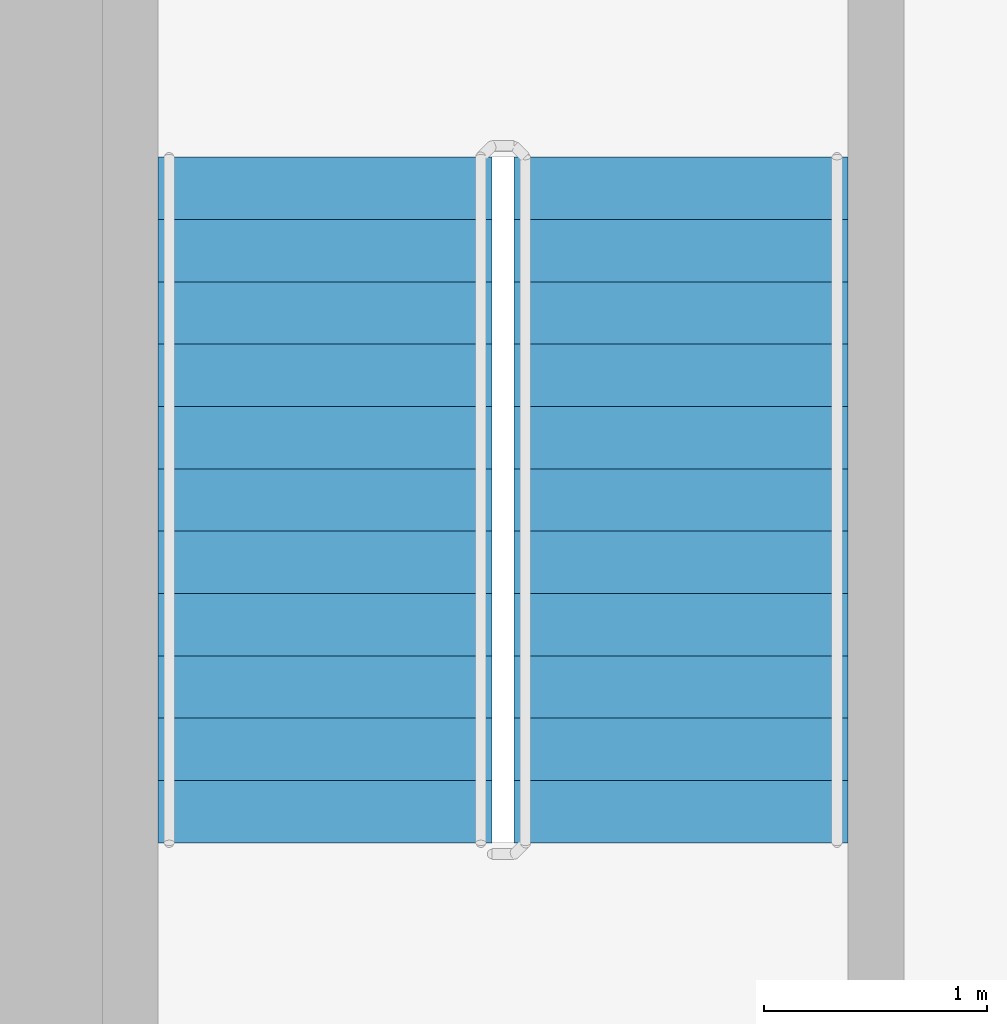
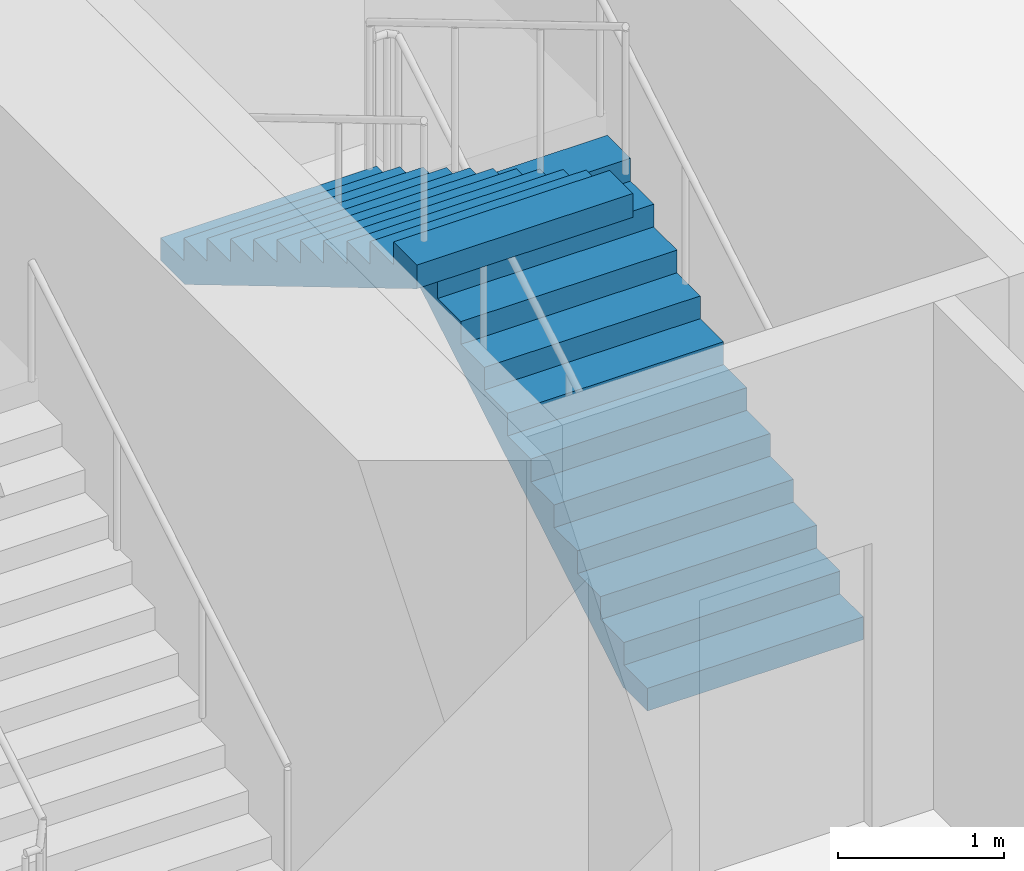
# One storey, part 18 of 26: 2 stair flights, 1 element without a shape of its own.
"""IFC4 building model written with IfcOpenShell, lengths in metres."""

from ifc_helpers import new_model, si_unit, direction, frame, origin, place, context, subcontext, project, spatial, triangles, source, transform, mapped, material, type_object, element, aggregate, save


model = new_model("IFC4")

# Units and contexts
model_context = context("Model", 3, precision=1e-05, world=origin(), true_north=direction((0.0, 1.0)))
body_context = subcontext(model_context, "Body", "Model", "MODEL_VIEW")
ifc_project = project(units=[si_unit("LENGTHUNIT", "METRE"), si_unit("AREAUNIT", "SQUARE_METRE"), si_unit("VOLUMEUNIT", "CUBIC_METRE"), si_unit("PLANEANGLEUNIT", "RADIAN"), si_unit("MASSUNIT", "GRAM", prefix="KILO")], contexts=[model_context])

# Site, building, storey
site_placement = place(None, origin())
site = spatial("IfcSite", under=ifc_project, at=site_placement, CompositionType="ELEMENT")
building_placement = place(site_placement, origin())
building = spatial("IfcBuilding", under=site, at=building_placement, Name="Kilnfold Tower and Market Hall", CompositionType="ELEMENT")
storey_placement = place(building_placement, frame((0.0, 0.0, 31.0)))
storey = spatial("IfcBuildingStorey", under=building, at=storey_placement, Name="L06", CompositionType="ELEMENT", Elevation=31.0)

# Stair, stair flights
ifc_material_1 = material(Name="Concrete C40/50", Category="concrete")
stair_type = type_object("IfcStairType", Name="CORE STAIR 1500", PredefinedType="HALF_TURN_STAIR", material=ifc_material_1)
stair_placement = place(storey_placement, origin())
stair = element("IfcStair", 1, at=stair_placement, inside=storey, type_object=stair_type, Name="L06 ST5", PredefinedType="HALF_TURN_STAIR")
ifc_material_2 = material(Name="Concrete C40/50", Category="concrete")
stair_flight_type = type_object("IfcStairFlightType", Name="CORE STAIR FLIGHT 1500", PredefinedType="STRAIGHT", material=ifc_material_2)
shared_shape = source(origin(), body_context, "Body", "Tessellation", [
    triangles([(0.0, 0.75, 0.0), (0.0, 0.65625, 0.0), (0.0, 0.5625, 0.0), (0.0, 0.46875, 0.0), (0.0, 0.375, 0.0), (0.0, 0.28125, 0.0), (0.0, 0.1875, 0.0), (0.0, 0.09375, 0.0), (0.0, 0.0, 0.0), (0.0, -0.09375, 0.0), (0.0, -0.1875, 0.0), (0.0, -0.28125, 0.0), (0.0, -0.375, 0.0), (0.0, -0.46875, 0.0), (0.0, -0.5625, 0.0), (0.0, -0.65625, 0.0), (0.0, -0.75, 0.0), (0.0, 0.75, 0.166748046875), (0.0, 0.65625, 0.166748046875), (0.0, 0.5625, 0.166748046875), (0.0, 0.46875, 0.166748046875), (0.0, 0.375, 0.166748046875), (0.0, 0.28125, 0.166748046875), (0.0, 0.1875, 0.166748046875), (0.0, 0.09375, 0.166748046875), (0.0, 0.0, 0.166748046875), (0.0, -0.09375, 0.166748046875), (0.0, -0.1875, 0.166748046875), (0.0, -0.28125, 0.166748046875), (0.0, -0.375, 0.166748046875), (0.0, -0.46875, 0.166748046875), (0.0, -0.5625, 0.166748046875), (0.0, -0.65625, 0.166748046875), (0.0, -0.75, 0.166748046875), (0.280029296875, 0.75, 0.166748046875), (0.280029296875, 0.65625, 0.166748046875), (0.280029296875, 0.5625, 0.166748046875), (0.280029296875, 0.46875, 0.166748046875), (0.280029296875, 0.375, 0.166748046875), (0.280029296875, 0.28125, 0.166748046875), (0.280029296875, 0.1875, 0.166748046875), (0.280029296875, 0.09375, 0.166748046875), (0.280029296875, 0.0, 0.166748046875), (0.280029296875, -0.09375, 0.166748046875), (0.280029296875, -0.1875, 0.166748046875), (0.280029296875, -0.28125, 0.166748046875), (0.280029296875, -0.375, 0.166748046875), (0.280029296875, -0.46875, 0.166748046875), (0.280029296875, -0.5625, 0.166748046875), (0.280029296875, -0.65625, 0.166748046875), (0.280029296875, -0.75, 0.166748046875), (0.280029296875, 0.75, 0.333251953125), (0.280029296875, 0.65625, 0.333251953125), (0.280029296875, 0.5625, 0.333251953125), (0.280029296875, 0.46875, 0.333251953125), (0.280029296875, 0.375, 0.333251953125), (0.280029296875, 0.28125, 0.333251953125), (0.280029296875, 0.1875, 0.333251953125), (0.280029296875, 0.09375, 0.333251953125), (0.280029296875, 0.0, 0.333251953125), (0.280029296875, -0.09375, 0.333251953125), (0.280029296875, -0.1875, 0.333251953125), (0.280029296875, -0.28125, 0.333251953125), (0.280029296875, -0.375, 0.333251953125), (0.280029296875, -0.46875, 0.333251953125), (0.280029296875, -0.5625, 0.333251953125), (0.280029296875, -0.65625, 0.333251953125), (0.280029296875, -0.75, 0.333251953125), (0.56005859375, 0.75, 0.333251953125), (0.56005859375, 0.65625, 0.333251953125), (0.56005859375, 0.5625, 0.333251953125), (0.56005859375, 0.46875, 0.333251953125), (0.56005859375, 0.375, 0.333251953125), (0.56005859375, 0.28125, 0.333251953125), (0.56005859375, 0.1875, 0.333251953125), (0.56005859375, 0.09375, 0.333251953125), (0.56005859375, 0.0, 0.333251953125), (0.56005859375, -0.09375, 0.333251953125), (0.56005859375, -0.1875, 0.333251953125), (0.56005859375, -0.28125, 0.333251953125), (0.56005859375, -0.375, 0.333251953125), (0.56005859375, -0.46875, 0.333251953125), (0.56005859375, -0.5625, 0.333251953125), (0.56005859375, -0.65625, 0.333251953125), (0.56005859375, -0.75, 0.333251953125), (0.56005859375, 0.75, 0.5), (0.56005859375, 0.65625, 0.5), (0.56005859375, 0.5625, 0.5), (0.56005859375, 0.46875, 0.5), (0.56005859375, 0.375, 0.5), (0.56005859375, 0.28125, 0.5), (0.56005859375, 0.1875, 0.5), (0.56005859375, 0.09375, 0.5), (0.56005859375, 0.0, 0.5), (0.56005859375, -0.09375, 0.5), (0.56005859375, -0.1875, 0.5), (0.56005859375, -0.28125, 0.5), (0.56005859375, -0.375, 0.5), (0.56005859375, -0.46875, 0.5), (0.56005859375, -0.5625, 0.5), (0.56005859375, -0.65625, 0.5), (0.56005859375, -0.75, 0.5), (0.840087890625, 0.75, 0.5), (0.840087890625, 0.65625, 0.5), (0.840087890625, 0.5625, 0.5), (0.840087890625, 0.46875, 0.5), (0.840087890625, 0.375, 0.5), (0.840087890625, 0.28125, 0.5), (0.840087890625, 0.1875, 0.5), (0.840087890625, 0.09375, 0.5), (0.840087890625, 0.0, 0.5), (0.840087890625, -0.09375, 0.5), (0.840087890625, -0.1875, 0.5), (0.840087890625, -0.28125, 0.5), (0.840087890625, -0.375, 0.5), (0.840087890625, -0.46875, 0.5), (0.840087890625, -0.5625, 0.5), (0.840087890625, -0.65625, 0.5), (0.840087890625, -0.75, 0.5), (0.840087890625, 0.75, 0.666748046875), (0.840087890625, 0.65625, 0.666748046875), (0.840087890625, 0.5625, 0.666748046875), (0.840087890625, 0.46875, 0.666748046875), (0.840087890625, 0.375, 0.666748046875), (0.840087890625, 0.28125, 0.666748046875), (0.840087890625, 0.1875, 0.666748046875), (0.840087890625, 0.09375, 0.666748046875), (0.840087890625, 0.0, 0.666748046875), (0.840087890625, -0.09375, 0.666748046875), (0.840087890625, -0.1875, 0.666748046875), (0.840087890625, -0.28125, 0.666748046875), (0.840087890625, -0.375, 0.666748046875), (0.840087890625, -0.46875, 0.666748046875), (0.840087890625, -0.5625, 0.666748046875), (0.840087890625, -0.65625, 0.666748046875), (0.840087890625, -0.75, 0.666748046875), (1.1201171875, 0.75, 0.666748046875), (1.1201171875, 0.65625, 0.666748046875), (1.1201171875, 0.5625, 0.666748046875), (1.1201171875, 0.46875, 0.666748046875), (1.1201171875, 0.375, 0.666748046875), (1.1201171875, 0.28125, 0.666748046875), (1.1201171875, 0.1875, 0.666748046875), (1.1201171875, 0.09375, 0.666748046875), (1.1201171875, 0.0, 0.666748046875), (1.1201171875, -0.09375, 0.666748046875), (1.1201171875, -0.1875, 0.666748046875), (1.1201171875, -0.28125, 0.666748046875), (1.1201171875, -0.375, 0.666748046875), (1.1201171875, -0.46875, 0.666748046875), (1.1201171875, -0.5625, 0.666748046875), (1.1201171875, -0.65625, 0.666748046875), (1.1201171875, -0.75, 0.666748046875), (1.1201171875, 0.75, 0.833251953125), (1.1201171875, 0.65625, 0.833251953125), (1.1201171875, 0.5625, 0.833251953125), (1.1201171875, 0.46875, 0.833251953125), (1.1201171875, 0.375, 0.833251953125), (1.1201171875, 0.28125, 0.833251953125), (1.1201171875, 0.1875, 0.833251953125), (1.1201171875, 0.09375, 0.833251953125), (1.1201171875, 0.0, 0.833251953125), (1.1201171875, -0.09375, 0.833251953125), (1.1201171875, -0.1875, 0.833251953125), (1.1201171875, -0.28125, 0.833251953125), (1.1201171875, -0.375, 0.833251953125), (1.1201171875, -0.46875, 0.833251953125), (1.1201171875, -0.5625, 0.833251953125), (1.1201171875, -0.65625, 0.833251953125), (1.1201171875, -0.75, 0.833251953125), (1.39990234375, 0.75, 0.833251953125), (1.39990234375, 0.65625, 0.833251953125), (1.39990234375, 0.5625, 0.833251953125), (1.39990234375, 0.46875, 0.833251953125), (1.39990234375, 0.375, 0.833251953125), (1.39990234375, 0.28125, 0.833251953125), (1.39990234375, 0.1875, 0.833251953125), (1.39990234375, 0.09375, 0.833251953125), (1.39990234375, 0.0, 0.833251953125), (1.39990234375, -0.09375, 0.833251953125), (1.39990234375, -0.1875, 0.833251953125), (1.39990234375, -0.28125, 0.833251953125), (1.39990234375, -0.375, 0.833251953125), (1.39990234375, -0.46875, 0.833251953125), (1.39990234375, -0.5625, 0.833251953125), (1.39990234375, -0.65625, 0.833251953125), (1.39990234375, -0.75, 0.833251953125), (1.39990234375, 0.75, 1.0), (1.39990234375, 0.65625, 1.0), (1.39990234375, 0.5625, 1.0), (1.39990234375, 0.46875, 1.0), (1.39990234375, 0.375, 1.0), (1.39990234375, 0.28125, 1.0), (1.39990234375, 0.1875, 1.0), (1.39990234375, 0.09375, 1.0), (1.39990234375, 0.0, 1.0), (1.39990234375, -0.09375, 1.0), (1.39990234375, -0.1875, 1.0), (1.39990234375, -0.28125, 1.0), (1.39990234375, -0.375, 1.0), (1.39990234375, -0.46875, 1.0), (1.39990234375, -0.5625, 1.0), (1.39990234375, -0.65625, 1.0), (1.39990234375, -0.75, 1.0), (1.679931640625, 0.75, 1.0), (1.679931640625, 0.65625, 1.0), (1.679931640625, 0.5625, 1.0), (1.679931640625, 0.46875, 1.0), (1.679931640625, 0.375, 1.0), (1.679931640625, 0.28125, 1.0), (1.679931640625, 0.1875, 1.0), (1.679931640625, 0.09375, 1.0), (1.679931640625, 0.0, 1.0), (1.679931640625, -0.09375, 1.0), (1.679931640625, -0.1875, 1.0), (1.679931640625, -0.28125, 1.0), (1.679931640625, -0.375, 1.0), (1.679931640625, -0.46875, 1.0), (1.679931640625, -0.5625, 1.0), (1.679931640625, -0.65625, 1.0), (1.679931640625, -0.75, 1.0), (1.679931640625, 0.75, 1.166748046875), (1.679931640625, 0.65625, 1.166748046875), (1.679931640625, 0.5625, 1.166748046875), (1.679931640625, 0.46875, 1.166748046875), (1.679931640625, 0.375, 1.166748046875), (1.679931640625, 0.28125, 1.166748046875), (1.679931640625, 0.1875, 1.166748046875), (1.679931640625, 0.09375, 1.166748046875), (1.679931640625, 0.0, 1.166748046875), (1.679931640625, -0.09375, 1.166748046875), (1.679931640625, -0.1875, 1.166748046875), (1.679931640625, -0.28125, 1.166748046875), (1.679931640625, -0.375, 1.166748046875), (1.679931640625, -0.46875, 1.166748046875), (1.679931640625, -0.5625, 1.166748046875), (1.679931640625, -0.65625, 1.166748046875), (1.679931640625, -0.75, 1.166748046875), (1.9599609375, 0.75, 1.166748046875), (1.9599609375, 0.65625, 1.166748046875), (1.9599609375, 0.5625, 1.166748046875), (1.9599609375, 0.46875, 1.166748046875), (1.9599609375, 0.375, 1.166748046875), (1.9599609375, 0.28125, 1.166748046875), (1.9599609375, 0.1875, 1.166748046875), (1.9599609375, 0.09375, 1.166748046875), (1.9599609375, 0.0, 1.166748046875), (1.9599609375, -0.09375, 1.166748046875), (1.9599609375, -0.1875, 1.166748046875), (1.9599609375, -0.28125, 1.166748046875), (1.9599609375, -0.375, 1.166748046875), (1.9599609375, -0.46875, 1.166748046875), (1.9599609375, -0.5625, 1.166748046875), (1.9599609375, -0.65625, 1.166748046875), (1.9599609375, -0.75, 1.166748046875), (1.9599609375, 0.75, 1.333251953125), (1.9599609375, 0.65625, 1.333251953125), (1.9599609375, 0.5625, 1.333251953125), (1.9599609375, 0.46875, 1.333251953125), (1.9599609375, 0.375, 1.333251953125), (1.9599609375, 0.28125, 1.333251953125), (1.9599609375, 0.1875, 1.333251953125), (1.9599609375, 0.09375, 1.333251953125), (1.9599609375, 0.0, 1.333251953125), (1.9599609375, -0.09375, 1.333251953125), (1.9599609375, -0.1875, 1.333251953125), (1.9599609375, -0.28125, 1.333251953125), (1.9599609375, -0.375, 1.333251953125), (1.9599609375, -0.46875, 1.333251953125), (1.9599609375, -0.5625, 1.333251953125), (1.9599609375, -0.65625, 1.333251953125), (1.9599609375, -0.75, 1.333251953125), (2.239990234375, 0.75, 1.333251953125), (2.239990234375, 0.65625, 1.333251953125), (2.239990234375, 0.5625, 1.333251953125), (2.239990234375, 0.46875, 1.333251953125), (2.239990234375, 0.375, 1.333251953125), (2.239990234375, 0.28125, 1.333251953125), (2.239990234375, 0.1875, 1.333251953125), (2.239990234375, 0.09375, 1.333251953125), (2.239990234375, 0.0, 1.333251953125), (2.239990234375, -0.09375, 1.333251953125), (2.239990234375, -0.1875, 1.333251953125), (2.239990234375, -0.28125, 1.333251953125), (2.239990234375, -0.375, 1.333251953125), (2.239990234375, -0.46875, 1.333251953125), (2.239990234375, -0.5625, 1.333251953125), (2.239990234375, -0.65625, 1.333251953125), (2.239990234375, -0.75, 1.333251953125), (2.239990234375, 0.75, 1.5), (2.239990234375, 0.65625, 1.5), (2.239990234375, 0.5625, 1.5), (2.239990234375, 0.46875, 1.5), (2.239990234375, 0.375, 1.5), (2.239990234375, 0.28125, 1.5), (2.239990234375, 0.1875, 1.5), (2.239990234375, 0.09375, 1.5), (2.239990234375, 0.0, 1.5), (2.239990234375, -0.09375, 1.5), (2.239990234375, -0.1875, 1.5), (2.239990234375, -0.28125, 1.5), (2.239990234375, -0.375, 1.5), (2.239990234375, -0.46875, 1.5), (2.239990234375, -0.5625, 1.5), (2.239990234375, -0.65625, 1.5), (2.239990234375, -0.75, 1.5), (2.52001953125, 0.75, 1.5), (2.52001953125, 0.65625, 1.5), (2.52001953125, 0.5625, 1.5), (2.52001953125, 0.46875, 1.5), (2.52001953125, 0.375, 1.5), (2.52001953125, 0.28125, 1.5), (2.52001953125, 0.1875, 1.5), (2.52001953125, 0.09375, 1.5), (2.52001953125, 0.0, 1.5), (2.52001953125, -0.09375, 1.5), (2.52001953125, -0.1875, 1.5), (2.52001953125, -0.28125, 1.5), (2.52001953125, -0.375, 1.5), (2.52001953125, -0.46875, 1.5), (2.52001953125, -0.5625, 1.5), (2.52001953125, -0.65625, 1.5), (2.52001953125, -0.75, 1.5), (2.52001953125, 0.75, 1.666748046875), (2.52001953125, 0.65625, 1.666748046875), (2.52001953125, 0.5625, 1.666748046875), (2.52001953125, 0.46875, 1.666748046875), (2.52001953125, 0.375, 1.666748046875), (2.52001953125, 0.28125, 1.666748046875), (2.52001953125, 0.1875, 1.666748046875), (2.52001953125, 0.09375, 1.666748046875), (2.52001953125, 0.0, 1.666748046875), (2.52001953125, -0.09375, 1.666748046875), (2.52001953125, -0.1875, 1.666748046875), (2.52001953125, -0.28125, 1.666748046875), (2.52001953125, -0.375, 1.666748046875), (2.52001953125, -0.46875, 1.666748046875), (2.52001953125, -0.5625, 1.666748046875), (2.52001953125, -0.65625, 1.666748046875), (2.52001953125, -0.75, 1.666748046875), (2.800048828125, 0.75, 1.666748046875), (2.800048828125, 0.65625, 1.666748046875), (2.800048828125, 0.5625, 1.666748046875), (2.800048828125, 0.46875, 1.666748046875), (2.800048828125, 0.375, 1.666748046875), (2.800048828125, 0.28125, 1.666748046875), (2.800048828125, 0.1875, 1.666748046875), (2.800048828125, 0.09375, 1.666748046875), (2.800048828125, 0.0, 1.666748046875), (2.800048828125, -0.09375, 1.666748046875), (2.800048828125, -0.1875, 1.666748046875), (2.800048828125, -0.28125, 1.666748046875), (2.800048828125, -0.375, 1.666748046875), (2.800048828125, -0.46875, 1.666748046875), (2.800048828125, -0.5625, 1.666748046875), (2.800048828125, -0.65625, 1.666748046875), (2.800048828125, -0.75, 1.666748046875), (2.800048828125, 0.75, 1.833251953125), (2.800048828125, 0.65625, 1.833251953125), (2.800048828125, 0.5625, 1.833251953125), (2.800048828125, 0.46875, 1.833251953125), (2.800048828125, 0.375, 1.833251953125), (2.800048828125, 0.28125, 1.833251953125), (2.800048828125, 0.1875, 1.833251953125), (2.800048828125, 0.09375, 1.833251953125), (2.800048828125, 0.0, 1.833251953125), (2.800048828125, -0.09375, 1.833251953125), (2.800048828125, -0.1875, 1.833251953125), (2.800048828125, -0.28125, 1.833251953125), (2.800048828125, -0.375, 1.833251953125), (2.800048828125, -0.46875, 1.833251953125), (2.800048828125, -0.5625, 1.833251953125), (2.800048828125, -0.65625, 1.833251953125), (2.800048828125, -0.75, 1.833251953125), (3.080078125, 0.75, 1.833251953125), (3.080078125, 0.65625, 1.833251953125), (3.080078125, 0.5625, 1.833251953125), (3.080078125, 0.46875, 1.833251953125), (3.080078125, 0.375, 1.833251953125), (3.080078125, 0.28125, 1.833251953125), (3.080078125, 0.1875, 1.833251953125), (3.080078125, 0.09375, 1.833251953125), (3.080078125, 0.0, 1.833251953125), (3.080078125, -0.09375, 1.833251953125), (3.080078125, -0.1875, 1.833251953125), (3.080078125, -0.28125, 1.833251953125), (3.080078125, -0.375, 1.833251953125), (3.080078125, -0.46875, 1.833251953125), (3.080078125, -0.5625, 1.833251953125), (3.080078125, -0.65625, 1.833251953125), (3.080078125, -0.75, 1.833251953125), (3.080078125, 0.75, 1.658935546875), (3.080078125, 0.65625, 1.658935546875), (3.080078125, 0.5625, 1.658935546875), (3.080078125, 0.46875, 1.658935546875), (3.080078125, 0.375, 1.658935546875), (3.080078125, 0.28125, 1.658935546875), (3.080078125, 0.1875, 1.658935546875), (3.080078125, 0.09375, 1.658935546875), (3.080078125, 0.0, 1.658935546875), (3.080078125, -0.09375, 1.658935546875), (3.080078125, -0.1875, 1.658935546875), (3.080078125, -0.28125, 1.658935546875), (3.080078125, -0.375, 1.658935546875), (3.080078125, -0.46875, 1.658935546875), (3.080078125, -0.5625, 1.658935546875), (3.080078125, -0.65625, 1.658935546875), (3.080078125, -0.75, 1.658935546875), (0.29296875, 0.75, 0.0), (0.29296875, 0.65625, 0.0), (0.29296875, 0.5625, 0.0), (0.29296875, 0.46875, 0.0), (0.29296875, 0.375, 0.0), (0.29296875, 0.28125, 0.0), (0.29296875, 0.1875, 0.0), (0.29296875, 0.09375, 0.0), (0.29296875, 0.0, 0.0), (0.29296875, -0.09375, 0.0), (0.29296875, -0.1875, 0.0), (0.29296875, -0.28125, 0.0), (0.29296875, -0.375, 0.0), (0.29296875, -0.46875, 0.0), (0.29296875, -0.5625, 0.0), (0.29296875, -0.65625, 0.0), (0.29296875, -0.75, 0.0)], [[1, 392, 409], [17, 425, 408], [392, 358, 375], [408, 391, 374], [392, 341, 358], [408, 374, 357], [392, 324, 341], [408, 357, 340], [392, 307, 324], [408, 340, 323], [307, 273, 290], [323, 306, 289], [392, 273, 307], [408, 323, 289], [273, 239, 256], [289, 272, 255], [392, 239, 273], [408, 289, 255], [239, 205, 222], [255, 238, 221], [392, 205, 239], [408, 255, 221], [205, 171, 188], [221, 204, 187], [392, 171, 205], [408, 221, 187], [171, 137, 154], [187, 170, 153], [392, 137, 171], [408, 187, 153], [137, 103, 120], [153, 136, 119], [392, 103, 137], [408, 153, 119], [103, 69, 86], [119, 102, 85], [392, 69, 103], [408, 119, 85], [1, 69, 392], [17, 408, 85], [69, 35, 52], [85, 68, 51], [1, 35, 69], [17, 85, 51], [35, 1, 18], [51, 34, 17], [1, 19, 18], [1, 2, 19], [2, 20, 19], [2, 3, 20], [3, 21, 20], [3, 4, 21], [4, 22, 21], [4, 5, 22], [5, 23, 22], [5, 6, 23], [6, 24, 23], [6, 7, 24], [7, 25, 24], [7, 8, 25], [8, 26, 25], [8, 9, 26], [9, 27, 26], [9, 10, 27], [10, 28, 27], [10, 11, 28], [11, 29, 28], [11, 12, 29], [12, 30, 29], [12, 13, 30], [13, 31, 30], [13, 14, 31], [14, 32, 31], [14, 15, 32], [15, 33, 32], [15, 16, 33], [16, 34, 33], [16, 17, 34], [18, 36, 35], [18, 19, 36], [19, 37, 36], [19, 20, 37], [20, 38, 37], [20, 21, 38], [21, 39, 38], [21, 22, 39], [22, 40, 39], [22, 23, 40], [23, 41, 40], [23, 24, 41], [24, 42, 41], [24, 25, 42], [25, 43, 42], [25, 26, 43], [26, 44, 43], [26, 27, 44], [27, 45, 44], [27, 28, 45], [28, 46, 45], [28, 29, 46], [29, 47, 46], [29, 30, 47], [30, 48, 47], [30, 31, 48], [31, 49, 48], [31, 32, 49], [32, 50, 49], [32, 33, 50], [33, 51, 50], [33, 34, 51], [35, 53, 52], [35, 36, 53], [36, 54, 53], [36, 37, 54], [37, 55, 54], [37, 38, 55], [38, 56, 55], [38, 39, 56], [39, 57, 56], [39, 40, 57], [40, 58, 57], [40, 41, 58], [41, 59, 58], [41, 42, 59], [42, 60, 59], [42, 43, 60], [43, 61, 60], [43, 44, 61], [44, 62, 61], [44, 45, 62], [45, 63, 62], [45, 46, 63], [46, 64, 63], [46, 47, 64], [47, 65, 64], [47, 48, 65], [48, 66, 65], [48, 49, 66], [49, 67, 66], [49, 50, 67], [50, 68, 67], [50, 51, 68], [52, 70, 69], [52, 53, 70], [53, 71, 70], [53, 54, 71], [54, 72, 71], [54, 55, 72], [55, 73, 72], [55, 56, 73], [56, 74, 73], [56, 57, 74], [57, 75, 74], [57, 58, 75], [58, 76, 75], [58, 59, 76], [59, 77, 76], [59, 60, 77], [60, 78, 77], [60, 61, 78], [61, 79, 78], [61, 62, 79], [62, 80, 79], [62, 63, 80], [63, 81, 80], [63, 64, 81], [64, 82, 81], [64, 65, 82], [65, 83, 82], [65, 66, 83], [66, 84, 83], [66, 67, 84], [67, 85, 84], [67, 68, 85], [69, 87, 86], [69, 70, 87], [70, 88, 87], [70, 71, 88], [71, 89, 88], [71, 72, 89], [72, 90, 89], [72, 73, 90], [73, 91, 90], [73, 74, 91], [74, 92, 91], [74, 75, 92], [75, 93, 92], [75, 76, 93], [76, 94, 93], [76, 77, 94], [77, 95, 94], [77, 78, 95], [78, 96, 95], [78, 79, 96], [79, 97, 96], [79, 80, 97], [80, 98, 97], [80, 81, 98], [81, 99, 98], [81, 82, 99], [82, 100, 99], [82, 83, 100], [83, 101, 100], [83, 84, 101], [84, 102, 101], [84, 85, 102], [86, 104, 103], [86, 87, 104], [87, 105, 104], [87, 88, 105], [88, 106, 105], [88, 89, 106], [89, 107, 106], [89, 90, 107], [90, 108, 107], [90, 91, 108], [91, 109, 108], [91, 92, 109], [92, 110, 109], [92, 93, 110], [93, 111, 110], [93, 94, 111], [94, 112, 111], [94, 95, 112], [95, 113, 112], [95, 96, 113], [96, 114, 113], [96, 97, 114], [97, 115, 114], [97, 98, 115], [98, 116, 115], [98, 99, 116], [99, 117, 116], [99, 100, 117], [100, 118, 117], [100, 101, 118], [101, 119, 118], [101, 102, 119], [103, 121, 120], [103, 104, 121], [104, 122, 121], [104, 105, 122], [105, 123, 122], [105, 106, 123], [106, 124, 123], [106, 107, 124], [107, 125, 124], [107, 108, 125], [108, 126, 125], [108, 109, 126], [109, 127, 126], [109, 110, 127], [110, 128, 127], [110, 111, 128], [111, 129, 128], [111, 112, 129], [112, 130, 129], [112, 113, 130], [113, 131, 130], [113, 114, 131], [114, 132, 131], [114, 115, 132], [115, 133, 132], [115, 116, 133], [116, 134, 133], [116, 117, 134], [117, 135, 134], [117, 118, 135], [118, 136, 135], [118, 119, 136], [120, 138, 137], [120, 121, 138], [121, 139, 138], [121, 122, 139], [122, 140, 139], [122, 123, 140], [123, 141, 140], [123, 124, 141], [124, 142, 141], [124, 125, 142], [125, 143, 142], [125, 126, 143], [126, 144, 143], [126, 127, 144], [127, 145, 144], [127, 128, 145], [128, 146, 145], [128, 129, 146], [129, 147, 146], [129, 130, 147], [130, 148, 147], [130, 131, 148], [131, 149, 148], [131, 132, 149], [132, 150, 149], [132, 133, 150], [133, 151, 150], [133, 134, 151], [134, 152, 151], [134, 135, 152], [135, 153, 152], [135, 136, 153], [137, 155, 154], [137, 138, 155], [138, 156, 155], [138, 139, 156], [139, 157, 156], [139, 140, 157], [140, 158, 157], [140, 141, 158], [141, 159, 158], [141, 142, 159], [142, 160, 159], [142, 143, 160], [143, 161, 160], [143, 144, 161], [144, 162, 161], [144, 145, 162], [145, 163, 162], [145, 146, 163], [146, 164, 163], [146, 147, 164], [147, 165, 164], [147, 148, 165], [148, 166, 165], [148, 149, 166], [149, 167, 166], [149, 150, 167], [150, 168, 167], [150, 151, 168], [151, 169, 168], [151, 152, 169], [152, 170, 169], [152, 153, 170], [154, 172, 171], [154, 155, 172], [155, 173, 172], [155, 156, 173], [156, 174, 173], [156, 157, 174], [157, 175, 174], [157, 158, 175], [158, 176, 175], [158, 159, 176], [159, 177, 176], [159, 160, 177], [160, 178, 177], [160, 161, 178], [161, 179, 178], [161, 162, 179], [162, 180, 179], [162, 163, 180], [163, 181, 180], [163, 164, 181], [164, 182, 181], [164, 165, 182], [165, 183, 182], [165, 166, 183], [166, 184, 183], [166, 167, 184], [167, 185, 184], [167, 168, 185], [168, 186, 185], [168, 169, 186], [169, 187, 186], [169, 170, 187], [171, 189, 188], [171, 172, 189], [172, 190, 189], [172, 173, 190], [173, 191, 190], [173, 174, 191], [174, 192, 191], [174, 175, 192], [175, 193, 192], [175, 176, 193], [176, 194, 193], [176, 177, 194], [177, 195, 194], [177, 178, 195], [178, 196, 195], [178, 179, 196], [179, 197, 196], [179, 180, 197], [180, 198, 197], [180, 181, 198], [181, 199, 198], [181, 182, 199], [182, 200, 199], [182, 183, 200], [183, 201, 200], [183, 184, 201], [184, 202, 201], [184, 185, 202], [185, 203, 202], [185, 186, 203], [186, 204, 203], [186, 187, 204], [188, 206, 205], [188, 189, 206], [189, 207, 206], [189, 190, 207], [190, 208, 207], [190, 191, 208], [191, 209, 208], [191, 192, 209], [192, 210, 209], [192, 193, 210], [193, 211, 210], [193, 194, 211], [194, 212, 211], [194, 195, 212], [195, 213, 212], [195, 196, 213], [196, 214, 213], [196, 197, 214], [197, 215, 214], [197, 198, 215], [198, 216, 215], [198, 199, 216], [199, 217, 216], [199, 200, 217], [200, 218, 217], [200, 201, 218], [201, 219, 218], [201, 202, 219], [202, 220, 219], [202, 203, 220], [203, 221, 220], [203, 204, 221], [205, 223, 222], [205, 206, 223], [206, 224, 223], [206, 207, 224], [207, 225, 224], [207, 208, 225], [208, 226, 225], [208, 209, 226], [209, 227, 226], [209, 210, 227], [210, 228, 227], [210, 211, 228], [211, 229, 228], [211, 212, 229], [212, 230, 229], [212, 213, 230], [213, 231, 230], [213, 214, 231], [214, 232, 231], [214, 215, 232], [215, 233, 232], [215, 216, 233], [216, 234, 233], [216, 217, 234], [217, 235, 234], [217, 218, 235], [218, 236, 235], [218, 219, 236], [219, 237, 236], [219, 220, 237], [220, 238, 237], [220, 221, 238], [222, 240, 239], [222, 223, 240], [223, 241, 240], [223, 224, 241], [224, 242, 241], [224, 225, 242], [225, 243, 242], [225, 226, 243], [226, 244, 243], [226, 227, 244], [227, 245, 244], [227, 228, 245], [228, 246, 245], [228, 229, 246], [229, 247, 246], [229, 230, 247], [230, 248, 247], [230, 231, 248], [231, 249, 248], [231, 232, 249], [232, 250, 249], [232, 233, 250], [233, 251, 250], [233, 234, 251], [234, 252, 251], [234, 235, 252], [235, 253, 252], [235, 236, 253], [236, 254, 253], [236, 237, 254], [237, 255, 254], [237, 238, 255], [239, 257, 256], [239, 240, 257], [240, 258, 257], [240, 241, 258], [241, 259, 258], [241, 242, 259], [242, 260, 259], [242, 243, 260], [243, 261, 260], [243, 244, 261], [244, 262, 261], [244, 245, 262], [245, 263, 262], [245, 246, 263], [246, 264, 263], [246, 247, 264], [247, 265, 264], [247, 248, 265], [248, 266, 265], [248, 249, 266], [249, 267, 266], [249, 250, 267], [250, 268, 267], [250, 251, 268], [251, 269, 268], [251, 252, 269], [252, 270, 269], [252, 253, 270], [253, 271, 270], [253, 254, 271], [254, 272, 271], [254, 255, 272], [256, 274, 273], [256, 257, 274], [257, 275, 274], [257, 258, 275], [258, 276, 275], [258, 259, 276], [259, 277, 276], [259, 260, 277], [260, 278, 277], [260, 261, 278], [261, 279, 278], [261, 262, 279], [262, 280, 279], [262, 263, 280], [263, 281, 280], [263, 264, 281], [264, 282, 281], [264, 265, 282], [265, 283, 282], [265, 266, 283], [266, 284, 283], [266, 267, 284], [267, 285, 284], [267, 268, 285], [268, 286, 285], [268, 269, 286], [269, 287, 286], [269, 270, 287], [270, 288, 287], [270, 271, 288], [271, 289, 288], [271, 272, 289], [273, 291, 290], [273, 274, 291], [274, 292, 291], [274, 275, 292], [275, 293, 292], [275, 276, 293], [276, 294, 293], [276, 277, 294], [277, 295, 294], [277, 278, 295], [278, 296, 295], [278, 279, 296], [279, 297, 296], [279, 280, 297], [280, 298, 297], [280, 281, 298], [281, 299, 298], [281, 282, 299], [282, 300, 299], [282, 283, 300], [283, 301, 300], [283, 284, 301], [284, 302, 301], [284, 285, 302], [285, 303, 302], [285, 286, 303], [286, 304, 303], [286, 287, 304], [287, 305, 304], [287, 288, 305], [288, 306, 305], [288, 289, 306], [290, 308, 307], [290, 291, 308], [291, 309, 308], [291, 292, 309], [292, 310, 309], [292, 293, 310], [293, 311, 310], [293, 294, 311], [294, 312, 311], [294, 295, 312], [295, 313, 312], [295, 296, 313], [296, 314, 313], [296, 297, 314], [297, 315, 314], [297, 298, 315], [298, 316, 315], [298, 299, 316], [299, 317, 316], [299, 300, 317], [300, 318, 317], [300, 301, 318], [301, 319, 318], [301, 302, 319], [302, 320, 319], [302, 303, 320], [303, 321, 320], [303, 304, 321], [304, 322, 321], [304, 305, 322], [305, 323, 322], [305, 306, 323], [307, 325, 324], [307, 308, 325], [308, 326, 325], [308, 309, 326], [309, 327, 326], [309, 310, 327], [310, 328, 327], [310, 311, 328], [311, 329, 328], [311, 312, 329], [312, 330, 329], [312, 313, 330], [313, 331, 330], [313, 314, 331], [314, 332, 331], [314, 315, 332], [315, 333, 332], [315, 316, 333], [316, 334, 333], [316, 317, 334], [317, 335, 334], [317, 318, 335], [318, 336, 335], [318, 319, 336], [319, 337, 336], [319, 320, 337], [320, 338, 337], [320, 321, 338], [321, 339, 338], [321, 322, 339], [322, 340, 339], [322, 323, 340], [324, 342, 341], [324, 325, 342], [325, 343, 342], [325, 326, 343], [326, 344, 343], [326, 327, 344], [327, 345, 344], [327, 328, 345], [328, 346, 345], [328, 329, 346], [329, 347, 346], [329, 330, 347], [330, 348, 347], [330, 331, 348], [331, 349, 348], [331, 332, 349], [332, 350, 349], [332, 333, 350], [333, 351, 350], [333, 334, 351], [334, 352, 351], [334, 335, 352], [335, 353, 352], [335, 336, 353], [336, 354, 353], [336, 337, 354], [337, 355, 354], [337, 338, 355], [338, 356, 355], [338, 339, 356], [339, 357, 356], [339, 340, 357], [341, 359, 358], [341, 342, 359], [342, 360, 359], [342, 343, 360], [343, 361, 360], [343, 344, 361], [344, 362, 361], [344, 345, 362], [345, 363, 362], [345, 346, 363], [346, 364, 363], [346, 347, 364], [347, 365, 364], [347, 348, 365], [348, 366, 365], [348, 349, 366], [349, 367, 366], [349, 350, 367], [350, 368, 367], [350, 351, 368], [351, 369, 368], [351, 352, 369], [352, 370, 369], [352, 353, 370], [353, 371, 370], [353, 354, 371], [354, 372, 371], [354, 355, 372], [355, 373, 372], [355, 356, 373], [356, 374, 373], [356, 357, 374], [358, 376, 375], [358, 359, 376], [359, 377, 376], [359, 360, 377], [360, 378, 377], [360, 361, 378], [361, 379, 378], [361, 362, 379], [362, 380, 379], [362, 363, 380], [363, 381, 380], [363, 364, 381], [364, 382, 381], [364, 365, 382], [365, 383, 382], [365, 366, 383], [366, 384, 383], [366, 367, 384], [367, 385, 384], [367, 368, 385], [368, 386, 385], [368, 369, 386], [369, 387, 386], [369, 370, 387], [370, 388, 387], [370, 371, 388], [371, 389, 388], [371, 372, 389], [372, 390, 389], [372, 373, 390], [373, 391, 390], [373, 374, 391], [375, 393, 392], [375, 376, 393], [376, 394, 393], [376, 377, 394], [377, 395, 394], [377, 378, 395], [378, 396, 395], [378, 379, 396], [379, 397, 396], [379, 380, 397], [380, 398, 397], [380, 381, 398], [381, 399, 398], [381, 382, 399], [382, 400, 399], [382, 383, 400], [383, 401, 400], [383, 384, 401], [384, 402, 401], [384, 385, 402], [385, 403, 402], [385, 386, 403], [386, 404, 403], [386, 387, 404], [387, 405, 404], [387, 388, 405], [388, 406, 405], [388, 389, 406], [389, 407, 406], [389, 390, 407], [390, 408, 407], [390, 391, 408], [392, 410, 409], [392, 393, 410], [393, 411, 410], [393, 394, 411], [394, 412, 411], [394, 395, 412], [395, 413, 412], [395, 396, 413], [396, 414, 413], [396, 397, 414], [397, 415, 414], [397, 398, 415], [398, 416, 415], [398, 399, 416], [399, 417, 416], [399, 400, 417], [400, 418, 417], [400, 401, 418], [401, 419, 418], [401, 402, 419], [402, 420, 419], [402, 403, 420], [403, 421, 420], [403, 404, 421], [404, 422, 421], [404, 405, 422], [405, 423, 422], [405, 406, 423], [406, 424, 423], [406, 407, 424], [407, 425, 424], [407, 408, 425], [409, 2, 1], [409, 410, 2], [410, 3, 2], [410, 411, 3], [411, 4, 3], [411, 412, 4], [412, 5, 4], [412, 413, 5], [413, 6, 5], [413, 414, 6], [414, 7, 6], [414, 415, 7], [415, 8, 7], [415, 416, 8], [416, 9, 8], [416, 417, 9], [417, 10, 9], [417, 418, 10], [418, 11, 10], [418, 419, 11], [419, 12, 11], [419, 420, 12], [420, 13, 12], [420, 421, 13], [421, 14, 13], [421, 422, 14], [422, 15, 14], [422, 423, 15], [423, 16, 15], [423, 424, 16], [424, 17, 16], [424, 425, 17]], closed=True),
])
stair_flight_1_placement = place(storey_placement, frame((20.699951171875, 11.5, 0.0), z_axis=(0.0, 0.0, 1.0), x_axis=(0.0, 1.0, 0.0)))
stair_flight_1 = element("IfcStairFlight", 2, at=stair_flight_1_placement, type_object=stair_flight_type, Name="ST5 flight 1", NumberOfRisers=12, NumberOfTreads=11, PredefinedType="STRAIGHT", RiserHeight=0.166666667, TreadLength=0.28, context=body_context, shape_type="MappedRepresentation", body=[
    mapped(shared_shape, transform((0.0, 0.0, 0.0))),
])
stair_flight_2_placement = place(storey_placement, frame((19.10009765625, 14.580078125, 2.0), z_axis=(0.0, 0.0, 1.0), x_axis=(0.0, -1.0, 0.0)))
stair_flight_2 = element("IfcStairFlight", 3, at=stair_flight_2_placement, type_object=stair_flight_type, Name="ST5 flight 2", NumberOfRisers=12, NumberOfTreads=11, PredefinedType="STRAIGHT", RiserHeight=0.166666667, TreadLength=0.28, context=body_context, shape_type="MappedRepresentation", body=[
    mapped(shared_shape, transform((0.0, 0.0, 0.0))),
])
aggregate(stair, [stair_flight_1, stair_flight_2])

save(model, "model.ifc")
